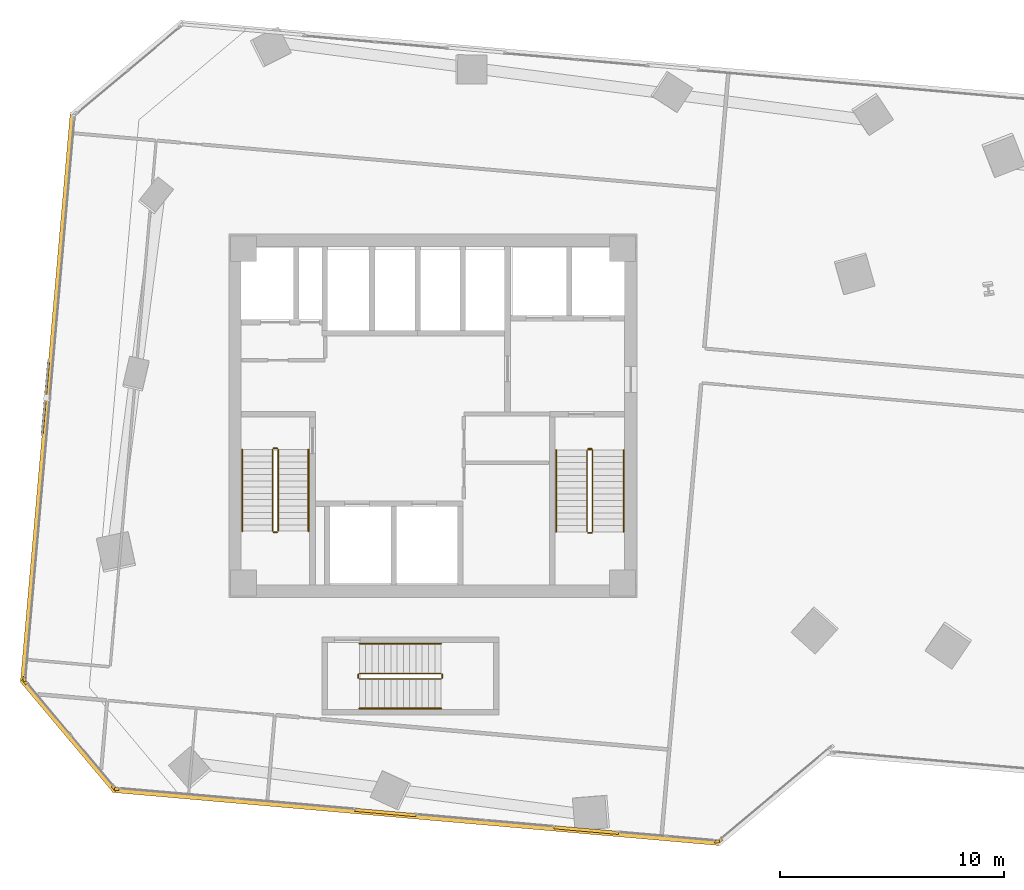
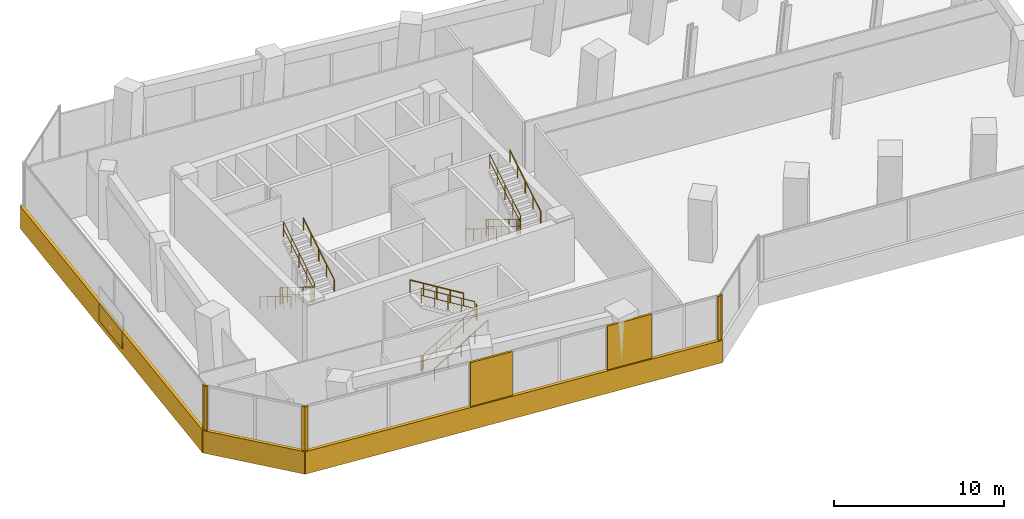
# One storey, part 21 of 23: 18 railings, 11 coverings, 1 shading device.
"""IFC4 building model written with IfcOpenShell, lengths in metres."""

from ifc_helpers import new_model, si_unit, direction, frame, origin, origin_2d, place, context, subcontext, project, spatial, rectangle, circle, extrude, source, transform, mapped, material, layer, layer_set, type_object, element, save


model = new_model("IFC4")

# Units and contexts
model_context = context("Model", 3, precision=1e-05, world=origin(), true_north=direction((0.0, 1.0)))
body_context = subcontext(model_context, "Body", "Model", "MODEL_VIEW")
ifc_project = project(units=[si_unit("LENGTHUNIT", "METRE"), si_unit("AREAUNIT", "SQUARE_METRE"), si_unit("VOLUMEUNIT", "CUBIC_METRE"), si_unit("PLANEANGLEUNIT", "RADIAN"), si_unit("MASSUNIT", "GRAM", prefix="KILO")], contexts=[model_context])

# Site, building, storey
site_placement = place(None, origin())
site = spatial("IfcSite", under=ifc_project, at=site_placement, CompositionType="ELEMENT")
building_placement = place(site_placement, origin())
building = spatial("IfcBuilding", under=site, at=building_placement, Name="Torre Montelarca", CompositionType="ELEMENT")
storey_placement = place(building_placement, frame((0.0, 0.0, 56.800048828125)))
storey = spatial("IfcBuildingStorey", under=building, at=storey_placement, Name="L12", CompositionType="ELEMENT", Elevation=56.800048828125)

# Railings
ifc_material_1 = material(Name="Powder-coated steel ASTM A500 Grade C", Category="steel")
railing_type_1 = type_object("IfcRailingType", Name="RL-GUARD-1100", PredefinedType="BALUSTRADE", material=ifc_material_1)
railing_1_placement = place(storey_placement, frame((10.85009765625, 30.5, 0.17138671875)))
element("IfcRailing", 1, at=railing_1_placement, inside=storey, type_object=railing_type_1, Name="L12 ST1 stair guard 1", PredefinedType="BALUSTRADE", context=body_context, shape_type="SweptSolid", body=[
    extrude(circle(Radius=0.02392578125, at=origin_2d()), frame((0.0, 0.0, 1.076171875), z_axis=(0.0, -0.852850264322, 0.5221555579), x_axis=(1.0, 0.0, 0.0)), (0.0, 0.0, 1.0), 4.267822265625),
    extrude(circle(Radius=0.02099609375, at=origin_2d()), frame((0.0, 0.0, 0.572021484375), z_axis=(0.0, -0.852850264322, 0.5221555579), x_axis=(1.0, 0.0, 0.0)), (0.0, 0.0, 1.0), 4.267822265625),
    extrude(circle(Radius=0.02099609375, at=origin_2d()), origin(), (0.0, 0.0, 1.0), 1.052001953125),
    extrude(circle(Radius=0.02099609375, at=origin_2d()), frame((0.0, -0.909912109375, 0.55712890625)), (0.0, 0.0, 1.0), 1.052001953125),
    extrude(circle(Radius=0.02099609375, at=origin_2d()), frame((0.0, -1.81982421875, 1.1142578125)), (0.0, 0.0, 1.0), 1.052001953125),
    extrude(circle(Radius=0.02099609375, at=origin_2d()), frame((0.0, -2.72998046875, 1.67138671875)), (0.0, 0.0, 1.0), 1.052001953125),
    extrude(circle(Radius=0.02099609375, at=origin_2d()), frame((0.0, -3.639892578125, 2.228515625)), (0.0, 0.0, 1.0), 1.052001953125),
])
railing_2_placement = place(storey_placement, frame((10.89990234375, 26.81005859375, 2.39990234375)))
element("IfcRailing", 2, at=railing_2_placement, inside=storey, type_object=railing_type_1, Name="L12 ST1 stair guard 2", PredefinedType="BALUSTRADE", context=body_context, shape_type="SweptSolid", body=[
    extrude(circle(Radius=0.02392578125, at=origin_2d()), frame((0.0, 0.0, 1.076171875), z_axis=(1.0, 0.0, 0.0), x_axis=(0.0, 1.0, 0.0)), (0.0, 0.0, 1.0), 0.150146484375),
    extrude(circle(Radius=0.02099609375, at=origin_2d()), frame((0.0, 0.0, 0.572021484375), z_axis=(1.0, 0.0, 0.0), x_axis=(0.0, 1.0, 0.0)), (0.0, 0.0, 1.0), 0.150146484375),
    extrude(circle(Radius=0.02099609375, at=origin_2d()), origin(), (0.0, 0.0, 1.0), 1.052001953125),
    extrude(circle(Radius=0.02099609375, at=origin_2d()), frame((0.150146484375, 0.0, 0.0)), (0.0, 0.0, 1.0), 1.052001953125),
])
railing_3_placement = place(storey_placement, frame((11.10009765625, 26.860107421875, 2.5712890625)))
element("IfcRailing", 3, at=railing_3_placement, inside=storey, type_object=railing_type_1, Name="L12 ST1 stair guard 3", PredefinedType="BALUSTRADE", context=body_context, shape_type="SweptSolid", body=[
    extrude(circle(Radius=0.02392578125, at=origin_2d()), frame((0.0, 0.0, 1.076171875), z_axis=(0.0, 0.852824790078, 0.522197163366), x_axis=(-1.0, 0.0, 0.0)), (0.0, 0.0, 1.0), 4.26806640625),
    extrude(circle(Radius=0.02099609375, at=origin_2d()), frame((0.0, 0.0, 0.572021484375), z_axis=(0.0, 0.852824790078, 0.522197163366), x_axis=(-1.0, 0.0, 0.0)), (0.0, 0.0, 1.0), 4.26806640625),
    extrude(circle(Radius=0.02099609375, at=origin_2d()), origin(), (0.0, 0.0, 1.0), 1.052001953125),
    extrude(circle(Radius=0.02099609375, at=origin_2d()), frame((0.0, 0.909912109375, 0.55712890625)), (0.0, 0.0, 1.0), 1.052001953125),
    extrude(circle(Radius=0.02099609375, at=origin_2d()), frame((0.0, 1.81982421875, 1.1142578125)), (0.0, 0.0, 1.0), 1.052001953125),
    extrude(circle(Radius=0.02099609375, at=origin_2d()), frame((0.0, 2.72998046875, 1.671630859375)), (0.0, 0.0, 1.0), 1.052001953125),
    extrude(circle(Radius=0.02099609375, at=origin_2d()), frame((0.0, 3.639892578125, 2.228759765625)), (0.0, 0.0, 1.0), 1.052001953125),
])
railing_4_placement = place(storey_placement, frame((10.89990234375, 30.550048828125, 0.0)))
element("IfcRailing", 4, at=railing_4_placement, inside=storey, type_object=railing_type_1, Name="L12 ST1 stair guard 4", PredefinedType="BALUSTRADE", context=body_context, shape_type="SweptSolid", body=[
    extrude(circle(Radius=0.02392578125, at=origin_2d()), frame((0.0, 0.0, 1.076171875), z_axis=(1.0, 0.0, 0.0), x_axis=(0.0, 1.0, 0.0)), (0.0, 0.0, 1.0), 0.150146484375),
    extrude(circle(Radius=0.02099609375, at=origin_2d()), frame((0.0, 0.0, 0.572021484375), z_axis=(1.0, 0.0, 0.0), x_axis=(0.0, 1.0, 0.0)), (0.0, 0.0, 1.0), 0.150146484375),
    extrude(circle(Radius=0.02099609375, at=origin_2d()), origin(), (0.0, 0.0, 1.0), 1.052001953125),
    extrude(circle(Radius=0.02099609375, at=origin_2d()), frame((0.150146484375, 0.0, 0.0)), (0.0, 0.0, 1.0), 1.052001953125),
])
railing_5_placement = place(storey_placement, frame((24.8701171875, 30.469970703125, 0.17138671875)))
element("IfcRailing", 5, at=railing_5_placement, inside=storey, type_object=railing_type_1, Name="L12 ST2 stair guard 1", PredefinedType="BALUSTRADE", context=body_context, shape_type="SweptSolid", body=[
    extrude(circle(Radius=0.02392578125, at=origin_2d()), frame((0.0, 0.0, 1.076171875), z_axis=(0.0, -0.852850264322, 0.5221555579), x_axis=(1.0, 0.0, 0.0)), (0.0, 0.0, 1.0), 4.267822265625),
    extrude(circle(Radius=0.02099609375, at=origin_2d()), frame((0.0, 0.0, 0.572021484375), z_axis=(0.0, -0.852850264322, 0.5221555579), x_axis=(1.0, 0.0, 0.0)), (0.0, 0.0, 1.0), 4.267822265625),
    extrude(circle(Radius=0.02099609375, at=origin_2d()), origin(), (0.0, 0.0, 1.0), 1.052001953125),
    extrude(circle(Radius=0.02099609375, at=origin_2d()), frame((0.0, -0.909912109375, 0.55712890625)), (0.0, 0.0, 1.0), 1.052001953125),
    extrude(circle(Radius=0.02099609375, at=origin_2d()), frame((0.0, -1.81982421875, 1.1142578125)), (0.0, 0.0, 1.0), 1.052001953125),
    extrude(circle(Radius=0.02099609375, at=origin_2d()), frame((0.0, -2.72998046875, 1.67138671875)), (0.0, 0.0, 1.0), 1.052001953125),
    extrude(circle(Radius=0.02099609375, at=origin_2d()), frame((0.0, -3.639892578125, 2.228515625)), (0.0, 0.0, 1.0), 1.052001953125),
])
railing_6_placement = place(storey_placement, frame((24.919921875, 26.780029296875, 2.39990234375)))
element("IfcRailing", 6, at=railing_6_placement, inside=storey, type_object=railing_type_1, Name="L12 ST2 stair guard 2", PredefinedType="BALUSTRADE", context=body_context, shape_type="SweptSolid", body=[
    extrude(circle(Radius=0.02392578125, at=origin_2d()), frame((0.0, 0.0, 1.076171875), z_axis=(1.0, 0.0, 0.0), x_axis=(0.0, 1.0, 0.0)), (0.0, 0.0, 1.0), 0.150146484375),
    extrude(circle(Radius=0.02099609375, at=origin_2d()), frame((0.0, 0.0, 0.572021484375), z_axis=(1.0, 0.0, 0.0), x_axis=(0.0, 1.0, 0.0)), (0.0, 0.0, 1.0), 0.150146484375),
    extrude(circle(Radius=0.02099609375, at=origin_2d()), origin(), (0.0, 0.0, 1.0), 1.052001953125),
    extrude(circle(Radius=0.02099609375, at=origin_2d()), frame((0.150146484375, 0.0, 0.0)), (0.0, 0.0, 1.0), 1.052001953125),
])
railing_7_placement = place(storey_placement, frame((25.1201171875, 26.830078125, 2.5712890625)))
element("IfcRailing", 7, at=railing_7_placement, inside=storey, type_object=railing_type_1, Name="L12 ST2 stair guard 3", PredefinedType="BALUSTRADE", context=body_context, shape_type="SweptSolid", body=[
    extrude(circle(Radius=0.02392578125, at=origin_2d()), frame((0.0, 0.0, 1.076171875), z_axis=(0.0, 0.852824790078, 0.522197163366), x_axis=(-1.0, 0.0, 0.0)), (0.0, 0.0, 1.0), 4.26806640625),
    extrude(circle(Radius=0.02099609375, at=origin_2d()), frame((0.0, 0.0, 0.572021484375), z_axis=(0.0, 0.852824790078, 0.522197163366), x_axis=(-1.0, 0.0, 0.0)), (0.0, 0.0, 1.0), 4.26806640625),
    extrude(circle(Radius=0.02099609375, at=origin_2d()), origin(), (0.0, 0.0, 1.0), 1.052001953125),
    extrude(circle(Radius=0.02099609375, at=origin_2d()), frame((0.0, 0.909912109375, 0.55712890625)), (0.0, 0.0, 1.0), 1.052001953125),
    extrude(circle(Radius=0.02099609375, at=origin_2d()), frame((0.0, 1.81982421875, 1.1142578125)), (0.0, 0.0, 1.0), 1.052001953125),
    extrude(circle(Radius=0.02099609375, at=origin_2d()), frame((0.0, 2.72998046875, 1.671630859375)), (0.0, 0.0, 1.0), 1.052001953125),
    extrude(circle(Radius=0.02099609375, at=origin_2d()), frame((0.0, 3.639892578125, 2.228759765625)), (0.0, 0.0, 1.0), 1.052001953125),
])
railing_8_placement = place(storey_placement, frame((24.919921875, 30.52001953125, 0.0)))
element("IfcRailing", 8, at=railing_8_placement, inside=storey, type_object=railing_type_1, Name="L12 ST2 stair guard 4", PredefinedType="BALUSTRADE", context=body_context, shape_type="SweptSolid", body=[
    extrude(circle(Radius=0.02392578125, at=origin_2d()), frame((0.0, 0.0, 1.076171875), z_axis=(1.0, 0.0, 0.0), x_axis=(0.0, 1.0, 0.0)), (0.0, 0.0, 1.0), 0.150146484375),
    extrude(circle(Radius=0.02099609375, at=origin_2d()), frame((0.0, 0.0, 0.572021484375), z_axis=(1.0, 0.0, 0.0), x_axis=(0.0, 1.0, 0.0)), (0.0, 0.0, 1.0), 0.150146484375),
    extrude(circle(Radius=0.02099609375, at=origin_2d()), origin(), (0.0, 0.0, 1.0), 1.052001953125),
    extrude(circle(Radius=0.02099609375, at=origin_2d()), frame((0.150146484375, 0.0, 0.0)), (0.0, 0.0, 1.0), 1.052001953125),
])
railing_9_placement = place(storey_placement, frame((14.719970703125, 20.27001953125, 0.17138671875)))
element("IfcRailing", 9, at=railing_9_placement, inside=storey, type_object=railing_type_1, Name="L12 ST3 stair guard 1", PredefinedType="BALUSTRADE", context=body_context, shape_type="SweptSolid", body=[
    extrude(circle(Radius=0.02392578125, at=origin_2d()), frame((0.0, 0.0, 1.076171875), z_axis=(0.852865859571, 0.0, 0.52213008492), x_axis=(0.0, 1.0, 0.0)), (0.0, 0.0, 1.0), 4.26806640625),
    extrude(circle(Radius=0.02099609375, at=origin_2d()), frame((0.0, 0.0, 0.572021484375), z_axis=(0.852865859571, 0.0, 0.52213008492), x_axis=(0.0, 1.0, 0.0)), (0.0, 0.0, 1.0), 4.26806640625),
    extrude(circle(Radius=0.02099609375, at=origin_2d()), origin(), (0.0, 0.0, 1.0), 1.052001953125),
    extrude(circle(Radius=0.02099609375, at=origin_2d()), frame((0.91015625, 0.0, 0.55712890625)), (0.0, 0.0, 1.0), 1.052001953125),
    extrude(circle(Radius=0.02099609375, at=origin_2d()), frame((1.820068359375, 0.0, 1.1142578125)), (0.0, 0.0, 1.0), 1.052001953125),
    extrude(circle(Radius=0.02099609375, at=origin_2d()), frame((2.72998046875, 0.0, 1.67138671875)), (0.0, 0.0, 1.0), 1.052001953125),
    extrude(circle(Radius=0.02099609375, at=origin_2d()), frame((3.64013671875, 0.0, 2.228515625)), (0.0, 0.0, 1.0), 1.052001953125),
])
railing_10_placement = place(storey_placement, frame((18.409912109375, 20.320068359375, 2.39990234375)))
element("IfcRailing", 10, at=railing_10_placement, inside=storey, type_object=railing_type_1, Name="L12 ST3 stair guard 2", PredefinedType="BALUSTRADE", context=body_context, shape_type="SweptSolid", body=[
    extrude(circle(Radius=0.02392578125, at=origin_2d()), frame((0.0, 0.0, 1.076171875), z_axis=(0.0, 1.0, 0.0), x_axis=(-1.0, 0.0, 0.0)), (0.0, 0.0, 1.0), 0.14990234375),
    extrude(circle(Radius=0.02099609375, at=origin_2d()), frame((0.0, 0.0, 0.572021484375), z_axis=(0.0, 1.0, 0.0), x_axis=(-1.0, 0.0, 0.0)), (0.0, 0.0, 1.0), 0.14990234375),
    extrude(circle(Radius=0.02099609375, at=origin_2d()), origin(), (0.0, 0.0, 1.0), 1.052001953125),
    extrude(circle(Radius=0.02099609375, at=origin_2d()), frame((0.0, 0.14990234375, 0.0)), (0.0, 0.0, 1.0), 1.052001953125),
])
railing_11_placement = place(storey_placement, frame((18.360107421875, 20.52001953125, 2.5712890625)))
element("IfcRailing", 11, at=railing_11_placement, inside=storey, type_object=railing_type_1, Name="L12 ST3 stair guard 3", PredefinedType="BALUSTRADE", context=body_context, shape_type="SweptSolid", body=[
    extrude(circle(Radius=0.02392578125, at=origin_2d()), frame((0.0, 0.0, 1.076171875), z_axis=(-0.852840387347, 0.0, 0.522171689878), x_axis=(0.0, -1.0, 0.0)), (0.0, 0.0, 1.0), 4.268310546875),
    extrude(circle(Radius=0.02099609375, at=origin_2d()), frame((0.0, 0.0, 0.572021484375), z_axis=(-0.852840387347, 0.0, 0.522171689878), x_axis=(0.0, -1.0, 0.0)), (0.0, 0.0, 1.0), 4.268310546875),
    extrude(circle(Radius=0.02099609375, at=origin_2d()), origin(), (0.0, 0.0, 1.0), 1.052001953125),
    extrude(circle(Radius=0.02099609375, at=origin_2d()), frame((-0.91015625, 0.0, 0.55712890625)), (0.0, 0.0, 1.0), 1.052001953125),
    extrude(circle(Radius=0.02099609375, at=origin_2d()), frame((-1.820068359375, 0.0, 1.1142578125)), (0.0, 0.0, 1.0), 1.052001953125),
    extrude(circle(Radius=0.02099609375, at=origin_2d()), frame((-2.72998046875, 0.0, 1.671630859375)), (0.0, 0.0, 1.0), 1.052001953125),
    extrude(circle(Radius=0.02099609375, at=origin_2d()), frame((-3.64013671875, 0.0, 2.228759765625)), (0.0, 0.0, 1.0), 1.052001953125),
])
railing_12_placement = place(storey_placement, frame((14.669921875, 20.320068359375, 0.0)))
element("IfcRailing", 12, at=railing_12_placement, inside=storey, type_object=railing_type_1, Name="L12 ST3 stair guard 4", PredefinedType="BALUSTRADE", context=body_context, shape_type="SweptSolid", body=[
    extrude(circle(Radius=0.02392578125, at=origin_2d()), frame((0.0, 0.0, 1.076171875), z_axis=(0.0, 1.0, 0.0), x_axis=(-1.0, 0.0, 0.0)), (0.0, 0.0, 1.0), 0.14990234375),
    extrude(circle(Radius=0.02099609375, at=origin_2d()), frame((0.0, 0.0, 0.572021484375), z_axis=(0.0, 1.0, 0.0), x_axis=(-1.0, 0.0, 0.0)), (0.0, 0.0, 1.0), 0.14990234375),
    extrude(circle(Radius=0.02099609375, at=origin_2d()), origin(), (0.0, 0.0, 1.0), 1.052001953125),
    extrude(circle(Radius=0.02099609375, at=origin_2d()), frame((0.0, 0.14990234375, 0.0)), (0.0, 0.0, 1.0), 1.052001953125),
])
ifc_material_2 = material(Name="Brushed stainless steel AISI 316", Category="steel")
railing_type_2 = type_object("IfcRailingType", Name="RL-HANDRAIL-900", PredefinedType="HANDRAIL", material=ifc_material_2)
railing_13_placement = place(storey_placement, frame((9.5, 30.5, 0.17138671875)))
element("IfcRailing", 13, at=railing_13_placement, inside=storey, type_object=railing_type_2, Name="L12 ST1 stair handrail 1", PredefinedType="HANDRAIL", context=body_context, shape_type="SweptSolid", body=[
    extrude(circle(Radius=0.02392578125, at=origin_2d()), frame((0.0, 0.0, 0.8759765625), z_axis=(0.0, -0.852850264322, 0.5221555579), x_axis=(1.0, 0.0, 0.0)), (0.0, 0.0, 1.0), 4.267822265625),
    extrude(circle(Radius=0.02099609375, at=origin_2d()), origin(), (0.0, 0.0, 1.0), 0.851806640625),
    extrude(circle(Radius=0.02099609375, at=origin_2d()), frame((0.0, -0.909912109375, 0.55712890625)), (0.0, 0.0, 1.0), 0.851806640625),
    extrude(circle(Radius=0.02099609375, at=origin_2d()), frame((0.0, -1.81982421875, 1.1142578125)), (0.0, 0.0, 1.0), 0.851806640625),
    extrude(circle(Radius=0.02099609375, at=origin_2d()), frame((0.0, -2.72998046875, 1.67138671875)), (0.0, 0.0, 1.0), 0.851806640625),
    extrude(circle(Radius=0.02099609375, at=origin_2d()), frame((0.0, -3.639892578125, 2.228515625)), (0.0, 0.0, 1.0), 0.851806640625),
])
railing_14_placement = place(storey_placement, frame((12.449951171875, 26.860107421875, 2.5712890625)))
element("IfcRailing", 14, at=railing_14_placement, inside=storey, type_object=railing_type_2, Name="L12 ST1 stair handrail 2", PredefinedType="HANDRAIL", context=body_context, shape_type="SweptSolid", body=[
    extrude(circle(Radius=0.02392578125, at=origin_2d()), frame((0.0, 0.0, 0.8759765625), z_axis=(0.0, 0.852824790078, 0.522197163366), x_axis=(-1.0, 0.0, 0.0)), (0.0, 0.0, 1.0), 4.26806640625),
    extrude(circle(Radius=0.02099609375, at=origin_2d()), origin(), (0.0, 0.0, 1.0), 0.851806640625),
    extrude(circle(Radius=0.02099609375, at=origin_2d()), frame((0.0, 0.909912109375, 0.55712890625)), (0.0, 0.0, 1.0), 0.851806640625),
    extrude(circle(Radius=0.02099609375, at=origin_2d()), frame((0.0, 1.81982421875, 1.1142578125)), (0.0, 0.0, 1.0), 0.851806640625),
    extrude(circle(Radius=0.02099609375, at=origin_2d()), frame((0.0, 2.72998046875, 1.671630859375)), (0.0, 0.0, 1.0), 0.851806640625),
    extrude(circle(Radius=0.02099609375, at=origin_2d()), frame((0.0, 3.639892578125, 2.228759765625)), (0.0, 0.0, 1.0), 0.851806640625),
])
railing_15_placement = place(storey_placement, frame((23.489990234375, 30.469970703125, 0.17138671875)))
element("IfcRailing", 15, at=railing_15_placement, inside=storey, type_object=railing_type_2, Name="L12 ST2 stair handrail 1", PredefinedType="HANDRAIL", context=body_context, shape_type="SweptSolid", body=[
    extrude(circle(Radius=0.02392578125, at=origin_2d()), frame((0.0, 0.0, 0.8759765625), z_axis=(0.0, -0.852850264322, 0.5221555579), x_axis=(1.0, 0.0, 0.0)), (0.0, 0.0, 1.0), 4.267822265625),
    extrude(circle(Radius=0.02099609375, at=origin_2d()), origin(), (0.0, 0.0, 1.0), 0.851806640625),
    extrude(circle(Radius=0.02099609375, at=origin_2d()), frame((0.0, -0.909912109375, 0.55712890625)), (0.0, 0.0, 1.0), 0.851806640625),
    extrude(circle(Radius=0.02099609375, at=origin_2d()), frame((0.0, -1.81982421875, 1.1142578125)), (0.0, 0.0, 1.0), 0.851806640625),
    extrude(circle(Radius=0.02099609375, at=origin_2d()), frame((0.0, -2.72998046875, 1.67138671875)), (0.0, 0.0, 1.0), 0.851806640625),
    extrude(circle(Radius=0.02099609375, at=origin_2d()), frame((0.0, -3.639892578125, 2.228515625)), (0.0, 0.0, 1.0), 0.851806640625),
])
railing_16_placement = place(storey_placement, frame((26.5, 26.830078125, 2.5712890625)))
element("IfcRailing", 16, at=railing_16_placement, inside=storey, type_object=railing_type_2, Name="L12 ST2 stair handrail 2", PredefinedType="HANDRAIL", context=body_context, shape_type="SweptSolid", body=[
    extrude(circle(Radius=0.02392578125, at=origin_2d()), frame((0.0, 0.0, 0.8759765625), z_axis=(0.0, 0.852824790078, 0.522197163366), x_axis=(-1.0, 0.0, 0.0)), (0.0, 0.0, 1.0), 4.26806640625),
    extrude(circle(Radius=0.02099609375, at=origin_2d()), origin(), (0.0, 0.0, 1.0), 0.851806640625),
    extrude(circle(Radius=0.02099609375, at=origin_2d()), frame((0.0, 0.909912109375, 0.55712890625)), (0.0, 0.0, 1.0), 0.851806640625),
    extrude(circle(Radius=0.02099609375, at=origin_2d()), frame((0.0, 1.81982421875, 1.1142578125)), (0.0, 0.0, 1.0), 0.851806640625),
    extrude(circle(Radius=0.02099609375, at=origin_2d()), frame((0.0, 2.72998046875, 1.671630859375)), (0.0, 0.0, 1.0), 0.851806640625),
    extrude(circle(Radius=0.02099609375, at=origin_2d()), frame((0.0, 3.639892578125, 2.228759765625)), (0.0, 0.0, 1.0), 0.851806640625),
])
railing_17_placement = place(storey_placement, frame((14.719970703125, 18.949951171875, 0.17138671875)))
element("IfcRailing", 17, at=railing_17_placement, inside=storey, type_object=railing_type_2, Name="L12 ST3 stair handrail 1", PredefinedType="HANDRAIL", context=body_context, shape_type="SweptSolid", body=[
    extrude(circle(Radius=0.02392578125, at=origin_2d()), frame((0.0, 0.0, 0.8759765625), z_axis=(0.852865859571, 0.0, 0.52213008492), x_axis=(0.0, 1.0, 0.0)), (0.0, 0.0, 1.0), 4.26806640625),
    extrude(circle(Radius=0.02099609375, at=origin_2d()), origin(), (0.0, 0.0, 1.0), 0.851806640625),
    extrude(circle(Radius=0.02099609375, at=origin_2d()), frame((0.91015625, 0.0, 0.55712890625)), (0.0, 0.0, 1.0), 0.851806640625),
    extrude(circle(Radius=0.02099609375, at=origin_2d()), frame((1.820068359375, 0.0, 1.1142578125)), (0.0, 0.0, 1.0), 0.851806640625),
    extrude(circle(Radius=0.02099609375, at=origin_2d()), frame((2.72998046875, 0.0, 1.67138671875)), (0.0, 0.0, 1.0), 0.851806640625),
    extrude(circle(Radius=0.02099609375, at=origin_2d()), frame((3.64013671875, 0.0, 2.228515625)), (0.0, 0.0, 1.0), 0.851806640625),
])
railing_18_placement = place(storey_placement, frame((18.360107421875, 21.840087890625, 2.5712890625)))
element("IfcRailing", 18, at=railing_18_placement, inside=storey, type_object=railing_type_2, Name="L12 ST3 stair handrail 2", PredefinedType="HANDRAIL", context=body_context, shape_type="SweptSolid", body=[
    extrude(circle(Radius=0.02392578125, at=origin_2d()), frame((0.0, 0.0, 0.8759765625), z_axis=(-0.852840387347, 0.0, 0.522171689878), x_axis=(0.0, -1.0, 0.0)), (0.0, 0.0, 1.0), 4.268310546875),
    extrude(circle(Radius=0.02099609375, at=origin_2d()), origin(), (0.0, 0.0, 1.0), 0.851806640625),
    extrude(circle(Radius=0.02099609375, at=origin_2d()), frame((-0.91015625, 0.0, 0.55712890625)), (0.0, 0.0, 1.0), 0.851806640625),
    extrude(circle(Radius=0.02099609375, at=origin_2d()), frame((-1.820068359375, 0.0, 1.1142578125)), (0.0, 0.0, 1.0), 0.851806640625),
    extrude(circle(Radius=0.02099609375, at=origin_2d()), frame((-2.72998046875, 0.0, 1.671630859375)), (0.0, 0.0, 1.0), 0.851806640625),
    extrude(circle(Radius=0.02099609375, at=origin_2d()), frame((-3.64013671875, 0.0, 2.228759765625)), (0.0, 0.0, 1.0), 0.851806640625),
])

# Coverings
ifc_material_3 = material(Name="Bush-hammered warm white precast concrete C45/55", Category="concrete")
ifc_layer_1 = layer(ifc_material_3, 0.139892578125, Name="Bush-hammered warm white precast concrete C45/55", Category="concrete")
ifc_layer_set_1 = layer_set([ifc_layer_1], Name="Bush-hammered warm white precast concrete C45/55")
covering_type = type_object("IfcCoveringType", Name="COV-TRAY-CLAD", PredefinedType="CLADDING", material=ifc_layer_set_1)
shared_shape_1 = source(origin(), body_context, "Body", "SweptSolid", [
    extrude(rectangle(XDim=0.199951171875, YDim=0.139892578125, at=origin_2d()), origin(), (0.0, 0.0, 1.0), 4.320068359375),
])
for number, where, z_axis, x_axis, name in (
    (19, (3.898681640625, 15.36083984375, 0.0), (0.0, 0.0, 1.0), (0.996194545975, -0.087157481435, 0.0), "L12 Architectural Column Pier Cladding E01-1"),
    (20, (30.664794921875, 13.01904296875, 0.0), (0.0, 0.0, 1.0), (0.996194545975, -0.087157481435, 0.0), "L12 Architectural Column Pier Cladding E01-4"),
    (21, (30.80322265625, 13.062744140625, 0.0), (0.0, 0.0, 1.0), (0.766048930604, 0.642782261672, 0.0), "L12 Architectural Column Pier Cladding E02-1"),
    (22, (-0.215576171875, 20.263916015625, 0.0), (0.0, 0.0, 1.0), (-0.08716095881, -0.996194241732, 0.0), "L12 Architectural Column Pier Cladding E10-2"),
    (23, (-0.171875, 20.12548828125, 0.0), (0.0, 0.0, 1.0), (0.642794294661, -0.76603883371, 0.0), "L12 Architectural Column Pier Cladding E11-1"),
    (24, (3.77001953125, 15.427734375, 0.0), (0.0, 0.0, 1.0), (0.642794294661, -0.76603883371, 0.0), "L12 Architectural Column Pier Cladding E11-2"),
):
    element("IfcCovering", number, at=place(storey_placement, frame(where, z_axis=z_axis, x_axis=x_axis)), inside=storey, type_object=covering_type, Name=name, PredefinedType="CLADDING", context=body_context, shape_type="MappedRepresentation", body=[
        mapped(shared_shape_1, transform((0.0, 0.0, 0.0), scale=1.0)),
    ])
shared_shape_2 = source(origin(), body_context, "Body", "SweptSolid", [
    extrude(rectangle(XDim=6.48388671875, YDim=0.219970703125, at=origin_2d()), origin(), (0.0, 0.0, 1.0), 1.6201171875),
])
covering_1_placement = place(storey_placement, frame((1.7529296875, 17.738037109375, -0.4501953125), z_axis=(0.0, 0.0, 1.0), x_axis=(0.642787609687, -0.766044443119, 0.0)))
element("IfcCovering", 25, at=covering_1_placement, inside=storey, type_object=covering_type, Name="L12 Architectural White Spandrel Tray Band TRYBOT-11", PredefinedType="CLADDING", context=body_context, shape_type="MappedRepresentation", body=[
    mapped(shared_shape_2, transform((0.0, 0.0, 0.0), scale=1.0)),
])
shared_shape_3 = source(origin(), body_context, "Body", "SweptSolid", [
    extrude(rectangle(XDim=25.52001953125, YDim=0.219970703125, at=origin_2d()), origin(), (0.0, 0.0, 1.0), 1.6201171875),
])
covering_2_placement = place(storey_placement, frame((0.821533203125, 32.805419921875, -0.4501953125), z_axis=(0.0, 0.0, 1.0), x_axis=(-0.087157481435, -0.996194545975, 0.0)))
element("IfcCovering", 26, at=covering_2_placement, inside=storey, type_object=covering_type, Name="L12 Architectural White Spandrel Tray Band TRYBOT-10", PredefinedType="CLADDING", context=body_context, shape_type="MappedRepresentation", body=[
    mapped(shared_shape_3, transform((0.0, 0.0, 0.0), scale=1.0)),
])
shared_shape_4 = source(origin(), body_context, "Body", "SweptSolid", [
    extrude(rectangle(XDim=2.888916015625, YDim=0.139892578125, at=origin_2d()), origin(), (0.0, 0.0, 1.0), 4.320068359375),
])
covering_3_placement = place(storey_placement, frame((24.8369140625, 13.52880859375, 0.0), z_axis=(0.0, 0.0, 1.0), x_axis=(0.996194545975, -0.087157481435, 0.0)))
element("IfcCovering", 27, at=covering_3_placement, inside=storey, type_object=covering_type, Name="L12 Architectural Column Pier Cladding E01-3", PredefinedType="CLADDING", context=body_context, shape_type="MappedRepresentation", body=[
    mapped(shared_shape_4, transform((0.0, 0.0, 0.0), scale=1.0)),
])
shared_shape_5 = source(origin(), body_context, "Body", "SweptSolid", [
    extrude(rectangle(XDim=27.219970703125, YDim=0.219970703125, at=origin_2d()), origin(), (0.0, 0.0, 1.0), 1.6201171875),
])
covering_4_placement = place(storey_placement, frame((17.276611328125, 14.130126953125, -0.4501953125), z_axis=(0.0, 0.0, 1.0), x_axis=(0.996194698092, -0.087155742748, 0.0)))
element("IfcCovering", 28, at=covering_4_placement, inside=storey, type_object=covering_type, Name="L12 Architectural White Spandrel Tray Band TRYBOT-01", PredefinedType="CLADDING", context=body_context, shape_type="MappedRepresentation", body=[
    mapped(shared_shape_5, transform((0.0, 0.0, 0.0), scale=1.0)),
])
shared_shape_6 = source(origin(), body_context, "Body", "SweptSolid", [
    extrude(rectangle(XDim=2.732421875, YDim=0.139892578125, at=origin_2d()), origin(), (0.0, 0.0, 1.0), 4.320068359375),
])
covering_5_placement = place(storey_placement, frame((15.87646484375, 14.31298828125, 0.0), z_axis=(0.0, 0.0, 1.0), x_axis=(0.996194545975, -0.087157481435, 0.0)))
element("IfcCovering", 29, at=covering_5_placement, inside=storey, type_object=covering_type, Name="L12 Architectural Column Pier Cladding E01-2", PredefinedType="CLADDING", context=body_context, shape_type="MappedRepresentation", body=[
    mapped(shared_shape_6, transform((0.0, 0.0, 0.0), scale=1.0)),
])

# Shading device
ifc_material_4 = material(Name="Architectural perforated terracotta ceramic", Category="masonry")
ifc_layer_2 = layer(ifc_material_4, 0.080078125, Name="Architectural perforated terracotta ceramic", Category="masonry")
ifc_layer_set_2 = layer_set([ifc_layer_2], Name="Architectural perforated terracotta ceramic")
shading_device_type = type_object("IfcShadingDeviceType", Name="SHD-JALOUSIE-1", PredefinedType="JALOUSIE", material=ifc_layer_set_2)
shared_shape_7 = source(origin(), body_context, "Body", "SweptSolid", [
    extrude(rectangle(XDim=3.199951171875, YDim=0.10009765625, at=origin_2d()), origin(), (0.0, 0.0, 1.0), 1.25),
])
shading_device_placement = place(storey_placement, frame((0.7119140625, 32.81494140625, -0.005126953125), z_axis=(0.0, 0.0, 1.0), x_axis=(-0.087157481435, -0.996194545975, 0.0)))
element("IfcShadingDevice", 30, at=shading_device_placement, inside=storey, type_object=shading_device_type, Name="L12 Facade Solar Shading Device E10", PredefinedType="JALOUSIE", context=body_context, shape_type="MappedRepresentation", body=[
    mapped(shared_shape_7, transform((0.0, 0.0, 0.0), scale=1.0)),
])

save(model, "model.ifc")
